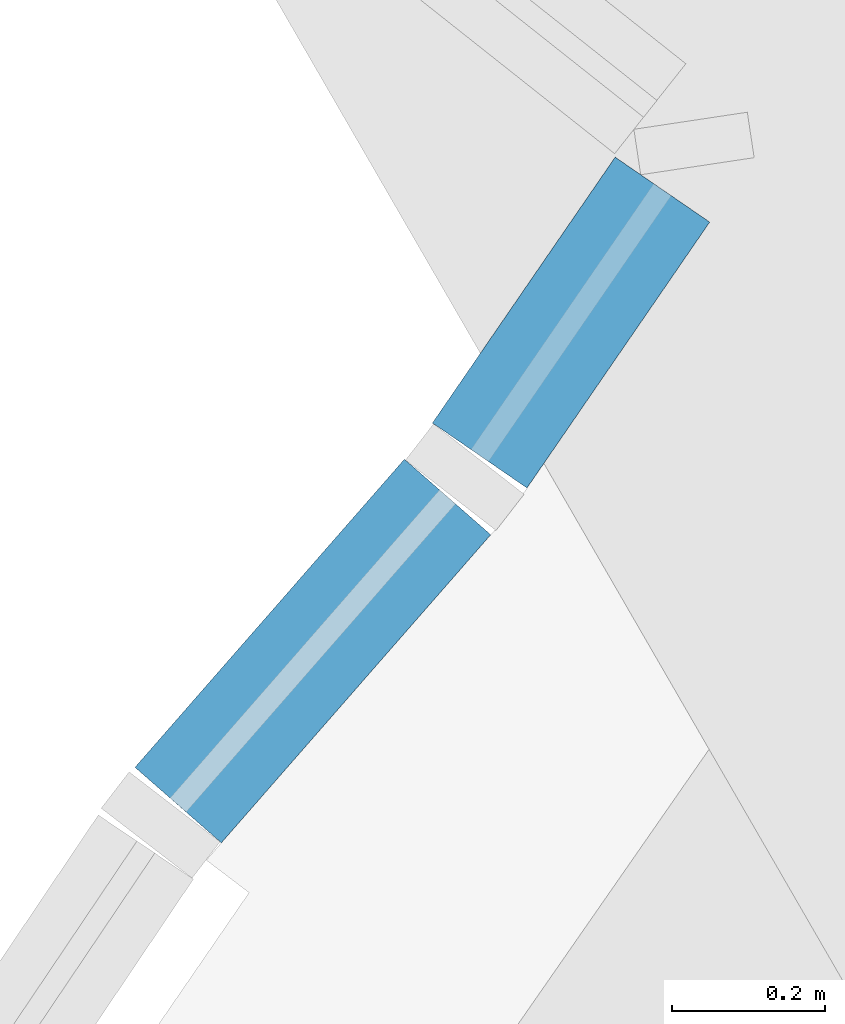
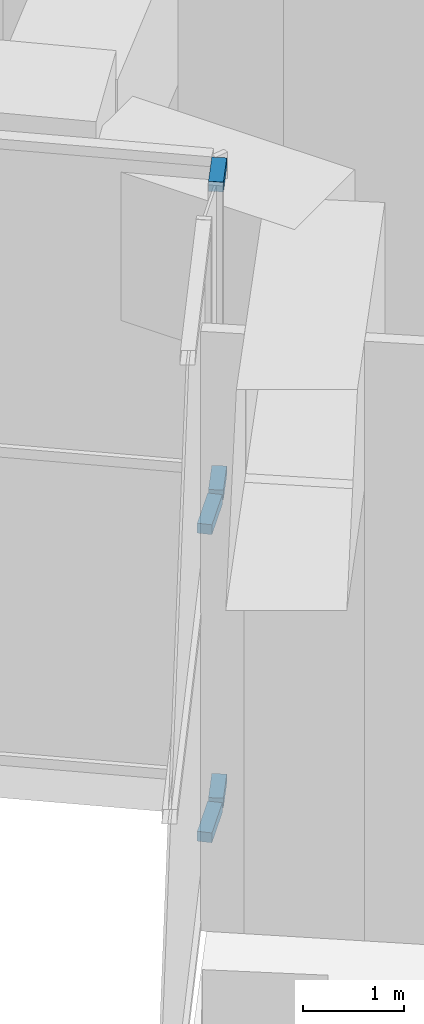
# One storey, part 15 of 33: 5 members, 2 elements without a shape of their own.
"""IFC4 building model written with IfcOpenShell, lengths in metres."""

from ifc_helpers import new_model, si_unit, direction, frame, origin, origin_2d, place, context, subcontext, project, spatial, rectangle, extrude, material, layer, layer_set, material_profile, profile_set, type_object, element, aggregate, save


model = new_model("IFC4")

# Units and contexts
model_context = context("Model", 3, precision=1e-05, world=origin(), true_north=direction((0.0, 1.0)))
body_context = subcontext(model_context, "Body", "Model", "MODEL_VIEW")
ifc_project = project(units=[si_unit("LENGTHUNIT", "METRE"), si_unit("AREAUNIT", "SQUARE_METRE"), si_unit("VOLUMEUNIT", "CUBIC_METRE"), si_unit("PLANEANGLEUNIT", "RADIAN"), si_unit("MASSUNIT", "GRAM", prefix="KILO")], contexts=[model_context])

# Site, building, storey
site_placement = place(None, origin())
site = spatial("IfcSite", under=ifc_project, at=site_placement, CompositionType="ELEMENT")
building_placement = place(site_placement, origin())
building = spatial("IfcBuilding", under=site, at=building_placement, Name="Stone Belt Terrace Tower", CompositionType="ELEMENT")
storey_placement = place(building_placement, frame((0.0, 0.0, 79.39990234375)))
storey = spatial("IfcBuildingStorey", under=building, at=storey_placement, Name="L19", CompositionType="ELEMENT", Elevation=79.39990234375)

# Curtain wall, members
ifc_material = material(Name="Aluminium 6063-T6 anodised frame", Category="aluminium")
ifc_layer = layer(ifc_material, 0.14990234375)
ifc_layer_set = layer_set([ifc_layer], Name="CW-C stick curtain wall, horn ends and notches")
curtain_wall_type = type_object("IfcCurtainWallType", Name="CW-C stick curtain wall, horn ends and notches", PredefinedType="NOTDEFINED", material=ifc_layer_set)
curtain_wall_1_placement = place(storey_placement, origin())
curtain_wall_1 = element("IfcCurtainWall", 1, at=curtain_wall_1_placement, inside=storey, type_object=curtain_wall_type, Name="CW-C end face L19", PredefinedType="NOTDEFINED")
ifc_material_profile = material_profile(ifc_material, rectangle(XDim=0.14990234375, YDim=0.1201171875, at=origin_2d()), Name="Aluminium 6063-T6 150x120")
ifc_profile_set = profile_set([ifc_material_profile], Name="Aluminium 6063-T6 anodised frame")
member_type = type_object("IfcMemberType", Name="CW-C transom 120 x 150", PredefinedType="USERDEFINED", material=ifc_profile_set)
member_1_placement = place(storey_placement, frame((-49.924560546875, 39.345703125, 0.06005859375), z_axis=(-0.566405920638, -0.824126406, 0.0), x_axis=(0.824126406, -0.566405920638, 0.0)))
member_1 = element("IfcMember", 2, at=member_1_placement, type_object=member_type, Name="CW-C transom 1.1", ObjectType="TRANSOM", PredefinedType="USERDEFINED", context=body_context, shape_type="SweptSolid", body=[
    extrude(rectangle(XDim=0.14990234375, YDim=0.1201171875, at=origin_2d()), origin(), (0.0, 0.0, 1.0), 0.421630859375),
])
member_2_placement = place(storey_placement, frame((-49.924560546875, 39.345703125, 3.800048828125), z_axis=(-0.566405920638, -0.824126406, 0.0), x_axis=(0.824126406, -0.566405920638, 0.0)))
member_2 = element("IfcMember", 3, at=member_2_placement, type_object=member_type, Name="CW-C transom 1.2", ObjectType="TRANSOM", PredefinedType="USERDEFINED", context=body_context, shape_type="SweptSolid", body=[
    extrude(rectangle(XDim=0.14990234375, YDim=0.1201171875, at=origin_2d()), origin(), (0.0, 0.0, 1.0), 0.421630859375),
])
member_3_placement = place(storey_placement, frame((-49.924560546875, 39.345703125, 7.5400390625), z_axis=(-0.566405920638, -0.824126406, 0.0), x_axis=(0.824126406, -0.566405920638, 0.0)))
member_3 = element("IfcMember", 4, at=member_3_placement, type_object=member_type, Name="CW-C transom 1.3", ObjectType="TRANSOM", PredefinedType="USERDEFINED", context=body_context, shape_type="SweptSolid", body=[
    extrude(rectangle(XDim=0.14990234375, YDim=0.1201171875, at=origin_2d()), origin(), (0.0, 0.0, 1.0), 0.421630859375),
])
aggregate(curtain_wall_1, [member_1, member_2, member_3])

curtain_wall_2_placement = place(storey_placement, origin())
curtain_wall_2 = element("IfcCurtainWall", 5, at=curtain_wall_2_placement, inside=storey, type_object=curtain_wall_type, Name="CW-C end face L19", PredefinedType="NOTDEFINED")
member_4_placement = place(storey_placement, frame((-50.205322265625, 38.944091796875, 0.06005859375), z_axis=(-0.658278346189, -0.752774613638, 0.0), x_axis=(0.752774613638, -0.658278346189, 0.0)))
member_4 = element("IfcMember", 6, at=member_4_placement, type_object=member_type, Name="CW-C transom 1.1", ObjectType="TRANSOM", PredefinedType="USERDEFINED", context=body_context, shape_type="SweptSolid", body=[
    extrude(rectangle(XDim=0.14990234375, YDim=0.1201171875, at=origin_2d()), origin(), (0.0, 0.0, 1.0), 0.534912109375),
])
member_5_placement = place(storey_placement, frame((-50.205322265625, 38.944091796875, 3.800048828125), z_axis=(-0.658278346189, -0.752774613638, 0.0), x_axis=(0.752774613638, -0.658278346189, 0.0)))
member_5 = element("IfcMember", 7, at=member_5_placement, type_object=member_type, Name="CW-C transom 1.2", ObjectType="TRANSOM", PredefinedType="USERDEFINED", context=body_context, shape_type="SweptSolid", body=[
    extrude(rectangle(XDim=0.14990234375, YDim=0.1201171875, at=origin_2d()), origin(), (0.0, 0.0, 1.0), 0.534912109375),
])
aggregate(curtain_wall_2, [member_4, member_5])

save(model, "model.ifc")
